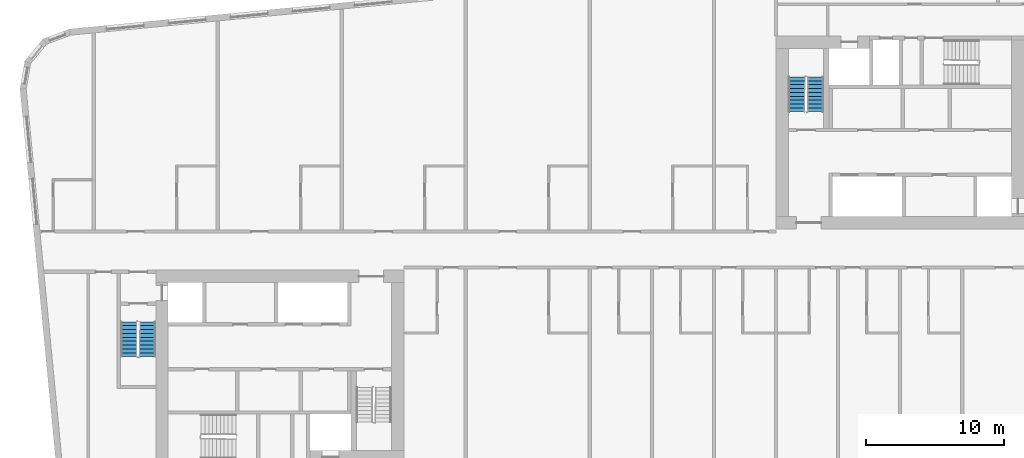
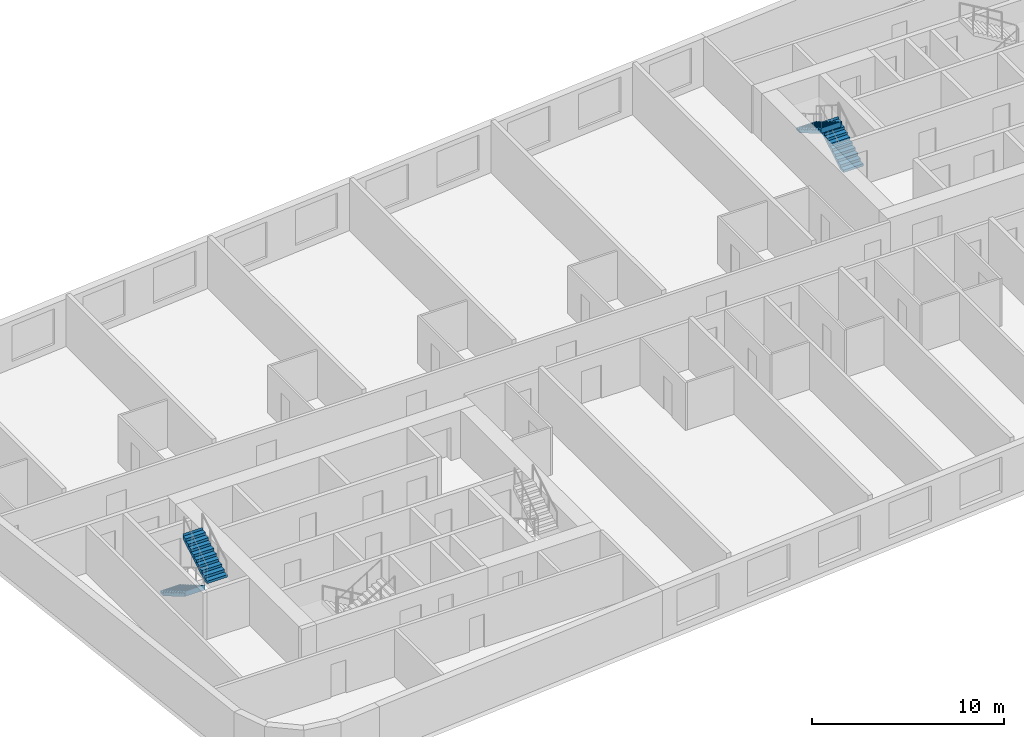
# One storey, part 9 of 11: 4 stair flights, 2 elements without a shape of their own.
"""IFC4 building model written with IfcOpenShell, lengths in metres."""

import ifcopenshell
import ifcopenshell.guid

model = None  # the IFC model being written
_history = None  # IfcOwnerHistory: only IFC2X3 demands one
_inside = {}  # id of a spatial element -> (the spatial element, [elements in it])
_under = {}  # id of a project, library or spatial element -> (it, [spatial elements below it])
_declared = {}  # id of a project -> (the project, [libraries it declares])
_typed = {}  # id of a type object -> (the type object, [elements of that type])
_made_of = {}  # id of a material, layer set ... -> (it, [elements and type objects made of it])


def new_model(schema):
    """Start an empty IFC model of exactly this schema.

    Asked for "IFC4X3", IfcOpenShell would pick the latest addendum, in which some entities
    have other attributes; the version numbers below select the first issue.
    IFC2X3 requires an IfcOwnerHistory on every rooted entity: one is made here for all.
    """
    global model, _history
    if schema == "IFC4X3":
        model = ifcopenshell.file(schema_version=(4, 3, 0, 0))
    else:
        model = ifcopenshell.file(schema=schema)
    _inside.clear()
    _under.clear()
    _declared.clear()
    _typed.clear()
    _made_of.clear()
    _history = None
    if model.schema == "IFC2X3":
        org = make("IfcOrganization", Name="unknown")
        user = make(
            "IfcPersonAndOrganization",
            ThePerson=make("IfcPerson", FamilyName="unknown"),
            TheOrganization=org,
        )
        app = make(
            "IfcApplication",
            ApplicationDeveloper=org,
            Version="unknown",
            ApplicationFullName="unknown",
            ApplicationIdentifier="unknown",
        )
        _history = make(
            "IfcOwnerHistory",
            OwningUser=user,
            OwningApplication=app,
            ChangeAction="ADDED",
            CreationDate=0,
        )
    return model


def make(cls, **values):
    """One entity of the class cls with the attributes given. An attribute that is None is left unset."""
    return model.create_entity(
        cls, **{name: value for name, value in values.items() if value is not None}
    )


def rooted(cls, **values):
    """An entity with a GlobalId (a new one), such as an element, a storey or a relation."""
    return make(cls, GlobalId=ifcopenshell.guid.new(), OwnerHistory=_history, **values)


def si_unit(unit_type, name, prefix=None):
    """IfcSIUnit, for example si_unit("LENGTHUNIT", "METRE", prefix="MILLI")."""
    return make("IfcSIUnit", UnitType=unit_type, Prefix=prefix, Name=name)


def assignment(units):
    """IfcUnitAssignment: the units of a project."""
    return None if units is None else make("IfcUnitAssignment", Units=units)


def point(xyz):
    """IfcCartesianPoint."""
    return None if xyz is None else make("IfcCartesianPoint", Coordinates=xyz)


def direction(xyz):
    """IfcDirection."""
    return None if xyz is None else make("IfcDirection", DirectionRatios=xyz)


def frame(location, z_axis=None, x_axis=None):
    """IfcAxis2Placement3D, a coordinate frame: its origin and axes. An axis left out is left unset."""
    return make(
        "IfcAxis2Placement3D",
        Location=point(location),
        Axis=direction(z_axis),
        RefDirection=direction(x_axis),
    )


def origin():
    """The frame at (0, 0, 0) with its axes left unset."""
    return frame((0.0, 0.0, 0.0))


def place(relative_to, where):
    """IfcLocalPlacement: puts the frame where relative to a parent placement (None: the world)."""
    return make(
        "IfcLocalPlacement", PlacementRelTo=relative_to, RelativePlacement=where
    )


def context(
    kind, dimensions, precision=None, world=None, true_north=None, identifier=None
):
    """IfcGeometricRepresentationContext, for example the 3D "Model" context."""
    return make(
        "IfcGeometricRepresentationContext",
        ContextIdentifier=identifier,
        ContextType=kind,
        CoordinateSpaceDimension=dimensions,
        Precision=precision,
        WorldCoordinateSystem=world,
        TrueNorth=true_north,
    )


def subcontext(parent, identifier, kind, view, scale=None):
    """IfcGeometricRepresentationSubContext, for example "Body" below "Model"."""
    return make(
        "IfcGeometricRepresentationSubContext",
        ContextIdentifier=identifier,
        ContextType=kind,
        ParentContext=parent,
        TargetScale=scale,
        TargetView=view,
    )


def project(units=None, contexts=None):
    """IfcProject with its units and contexts."""
    return rooted(
        "IfcProject",
        Name="project",
        RepresentationContexts=contexts,
        UnitsInContext=assignment(units),
    )


def spatial(cls, under=None, at=None, **own):
    """A site, building, storey or space (cls), placed at a placement, below another one or the project."""
    s = rooted(cls, ObjectPlacement=at, **own)
    if under is not None:
        _under.setdefault(under.id(), (under, []))[1].append(s)
    return s


def faces_of(points, faces, orient=None, outer=None):
    """IfcFace entities. A face is a list of loops; a loop is a list of indices into points, from 0.

    orient and outer hold one flag for each loop. By default every Orientation is true, the
    first loop of a face is its IfcFaceOuterBound and the others are IfcFaceBound.
    """
    made = []
    for i, loops in enumerate(faces):
        bounds = []
        for j, loop in enumerate(loops):
            is_outer = j == 0 if outer is None else outer[i][j]
            bounds.append(
                make(
                    "IfcFaceOuterBound" if is_outer else "IfcFaceBound",
                    Bound=make("IfcPolyLoop", Polygon=[points[k] for k in loop]),
                    Orientation=True if orient is None else orient[i][j],
                )
            )
        made.append(make("IfcFace", Bounds=bounds))
    return made


def faceted_brep(points, faces, orient=None, outer=None, voids=None):
    """IfcFacetedBrep: a solid bounded by flat faces; with voids (closed shells), ...WithVoids."""
    shared = [point(p) for p in points]
    hull = make("IfcClosedShell", CfsFaces=faces_of(shared, faces, orient, outer))
    if voids is None:
        return make("IfcFacetedBrep", Outer=hull)
    return make(
        "IfcFacetedBrepWithVoids",
        Outer=hull,
        Voids=[
            make(cls, CfsFaces=faces_of(shared, fs, o, b)) for cls, fs, o, b in voids
        ],
    )


def shape(context_of_items, identifier, shape_type, items):
    """IfcShapeRepresentation: the items that make up one representation, for example the "Body"."""
    return make(
        "IfcShapeRepresentation",
        ContextOfItems=context_of_items,
        RepresentationIdentifier=identifier,
        RepresentationType=shape_type,
        Items=items,
    )


def material(Name=None, Category=None):
    """IfcMaterial."""
    return make("IfcMaterial", Name=Name, Category=Category)


def made_of(thing, what):
    """Note that an element or type object is made of a material, layer set ...; save() writes the relation."""
    if what is not None:
        _made_of.setdefault(what.id(), (what, []))[1].append(thing)
    return thing


def type_object(cls, material=None, **own):
    """A type object (cls), such as IfcWallType, which elements share."""
    return made_of(rooted(cls, **own), material)


def element(
    cls,
    number,
    at=None,
    inside=None,
    cuts=None,
    type_object=None,
    material=None,
    context=None,
    identifier="Body",
    shape_type=None,
    held_by="IfcProductDefinitionShape",
    body=None,
    shapes=None,
    **own,
):
    """One element of the class cls, such as IfcWall. Its Tag is "e" and its number.

    at: its placement. inside: the storey or other place that contains it. cuts: it is an
    opening in that element (IfcRelVoidsElement). A single representation is given by context,
    identifier, shape_type and body (its items); several are given by shapes. held_by: the class
    of the entity that holds the representations. save() writes the other relations.
    """
    e = rooted(cls, Tag="e%d" % number, ObjectPlacement=at, **own)
    if body is not None:
        shapes = [shape(context, identifier, shape_type, body)]
    if shapes is not None:
        e.Representation = make(held_by, Representations=shapes)
    if inside is not None:
        _inside.setdefault(inside.id(), (inside, []))[1].append(e)
    if cuts is not None:
        rooted(
            "IfcRelVoidsElement", RelatingBuildingElement=cuts, RelatedOpeningElement=e
        )
    if type_object is not None:
        _typed.setdefault(type_object.id(), (type_object, []))[1].append(e)
    return made_of(e, material)


def aggregate(whole, parts):
    """IfcRelAggregates: a whole, such as a stair, and the parts it consists of."""
    return rooted("IfcRelAggregates", RelatingObject=whole, RelatedObjects=parts)


def save(model, path):
    """Write the relations noted so far, then the file.

    IfcRelAggregates (storeys below a building ...), IfcRelContainedInSpatialStructure (elements
    in a storey), IfcRelDefinesByType, IfcRelAssociatesMaterial and IfcRelDeclares: one each for
    every whole, place, type object, material and project.
    """
    for whole, parts in _under.values():
        aggregate(whole, parts)
    for where, things in _inside.values():
        rooted(
            "IfcRelContainedInSpatialStructure",
            RelatedElements=things,
            RelatingStructure=where,
        )
    for kind, things in _typed.values():
        rooted("IfcRelDefinesByType", RelatedObjects=things, RelatingType=kind)
    for what, things in _made_of.values():
        rooted("IfcRelAssociatesMaterial", RelatedObjects=things, RelatingMaterial=what)
    for by, libraries in _declared.values():
        rooted("IfcRelDeclares", RelatingContext=by, RelatedDefinitions=libraries)
    model.write(path)


model = new_model("IFC4")

# Units and contexts
model_context = context("Model", 3, precision=1e-05, world=origin(), true_north=direction((0.0, 1.0)))
body_context = subcontext(model_context, "Body", "Model", "MODEL_VIEW")
ifc_project = project(units=[si_unit("LENGTHUNIT", "METRE"), si_unit("AREAUNIT", "SQUARE_METRE"), si_unit("VOLUMEUNIT", "CUBIC_METRE"), si_unit("PLANEANGLEUNIT", "RADIAN"), si_unit("MASSUNIT", "GRAM", prefix="KILO")], contexts=[model_context])

# Site, building, storey
site_placement = place(None, origin())
site = spatial("IfcSite", under=ifc_project, at=site_placement, CompositionType="ELEMENT")
building_placement = place(site_placement, origin())
building = spatial("IfcBuilding", under=site, at=building_placement, Name="Kajstack Hotel Tower", CompositionType="ELEMENT")
storey_placement = place(building_placement, frame((0.0, 0.0, 285.0)))
storey = spatial("IfcBuildingStorey", under=building, at=storey_placement, Name="L71", CompositionType="ELEMENT", Elevation=285.0)

# Stair, stair flights
ifc_material = material(Name="Concrete C40/50", Category="concrete")
stair_type = type_object("IfcStairType", Name="Exit stair 1200", PredefinedType="HALF_TURN_STAIR", material=ifc_material)
stair_1_placement = place(storey_placement, origin())
stair_1 = element("IfcStair", 1, at=stair_1_placement, inside=storey, type_object=stair_type, Name="L71 stair W1", PredefinedType="HALF_TURN_STAIR")
stair_flight_type = type_object("IfcStairFlightType", Name="Exit stair flight 1200", PredefinedType="STRAIGHT", material=ifc_material)
stair_flight_1_placement = place(storey_placement, frame((-33.449951171875, -5.25, 0.0), z_axis=(0.0, 0.0, 1.0), x_axis=(0.0, -1.0, 0.0)))
stair_flight_1 = element("IfcStairFlight", 2, at=stair_flight_1_placement, type_object=stair_flight_type, Name="W1 flight 1", NumberOfRisers=10, NumberOfTreads=9, PredefinedType="STRAIGHT", RiserHeight=0.165, TreadLength=0.28, context=body_context, shape_type="Brep", body=[
    faceted_brep([(0.295654296875, -0.60009765625, 0.0), (2.5205078125, -0.60009765625, 1.31103515625), (2.5205078125, -0.60009765625, 1.64990234375), (2.52001953125, -0.60009765625, 1.64990234375), (2.52001953125, -0.60009765625, 1.485107421875), (2.239990234375, -0.60009765625, 1.485107421875), (2.239990234375, -0.60009765625, 1.320068359375), (1.9599609375, -0.60009765625, 1.320068359375), (1.9599609375, -0.60009765625, 1.155029296875), (1.679931640625, -0.60009765625, 1.155029296875), (1.679931640625, -0.60009765625, 0.989990234375), (1.39990234375, -0.60009765625, 0.989990234375), (1.39990234375, -0.60009765625, 0.824951171875), (1.1201171875, -0.60009765625, 0.824951171875), (1.1201171875, -0.60009765625, 0.659912109375), (0.840087890625, -0.60009765625, 0.659912109375), (0.840087890625, -0.60009765625, 0.4951171875), (0.56005859375, -0.60009765625, 0.4951171875), (0.56005859375, -0.60009765625, 0.330078125), (0.280029296875, -0.60009765625, 0.330078125), (0.280029296875, -0.60009765625, 0.1650390625), (-0.00048828125, -0.60009765625, 0.1650390625), (-0.00048828125, -0.60009765625, 0.0), (-0.00048828125, 0.60009765625, 0.0), (-0.00048828125, 0.60009765625, 0.1650390625), (0.280029296875, 0.60009765625, 0.1650390625), (0.280029296875, 0.60009765625, 0.330078125), (0.56005859375, 0.60009765625, 0.330078125), (0.56005859375, 0.60009765625, 0.4951171875), (0.840087890625, 0.60009765625, 0.4951171875), (0.840087890625, 0.60009765625, 0.659912109375), (1.1201171875, 0.60009765625, 0.659912109375), (1.1201171875, 0.60009765625, 0.824951171875), (1.39990234375, 0.60009765625, 0.824951171875), (1.39990234375, 0.60009765625, 0.989990234375), (1.679931640625, 0.60009765625, 0.989990234375), (1.679931640625, 0.60009765625, 1.155029296875), (1.9599609375, 0.60009765625, 1.155029296875), (1.9599609375, 0.60009765625, 1.320068359375), (2.239990234375, 0.60009765625, 1.320068359375), (2.239990234375, 0.60009765625, 1.485107421875), (2.52001953125, 0.60009765625, 1.485107421875), (2.52001953125, 0.60009765625, 1.64990234375), (2.5205078125, 0.60009765625, 1.64990234375), (2.5205078125, 0.60009765625, 1.31103515625), (0.295654296875, 0.60009765625, 0.0), (-0.00048828125, -0.300048828125, 0.1650390625), (-0.00048828125, 0.0, 0.1650390625), (-0.00048828125, 0.300048828125, 0.1650390625), (-0.00048828125, 0.300048828125, 0.0), (-0.00048828125, 0.0, 0.0), (-0.00048828125, -0.300048828125, 0.0), (0.280029296875, -0.300048828125, 0.1650390625), (0.280029296875, 0.0, 0.1650390625), (0.280029296875, 0.300048828125, 0.1650390625), (0.280029296875, -0.300048828125, 0.330078125), (0.280029296875, 0.0, 0.330078125), (0.280029296875, 0.300048828125, 0.330078125), (0.56005859375, -0.300048828125, 0.330078125), (0.56005859375, 0.0, 0.330078125), (0.56005859375, 0.300048828125, 0.330078125), (0.56005859375, -0.300048828125, 0.4951171875), (0.56005859375, 0.0, 0.4951171875), (0.56005859375, 0.300048828125, 0.4951171875), (0.840087890625, -0.300048828125, 0.4951171875), (0.840087890625, 0.0, 0.4951171875), (0.840087890625, 0.300048828125, 0.4951171875), (0.840087890625, -0.300048828125, 0.659912109375), (0.840087890625, 0.0, 0.659912109375), (0.840087890625, 0.300048828125, 0.659912109375), (1.1201171875, -0.300048828125, 0.659912109375), (1.1201171875, 0.0, 0.659912109375), (1.1201171875, 0.300048828125, 0.659912109375), (1.1201171875, -0.300048828125, 0.824951171875), (1.1201171875, 0.0, 0.824951171875), (1.1201171875, 0.300048828125, 0.824951171875), (1.39990234375, -0.300048828125, 0.824951171875), (1.39990234375, 0.0, 0.824951171875), (1.39990234375, 0.300048828125, 0.824951171875), (1.39990234375, -0.300048828125, 0.989990234375), (1.39990234375, 0.0, 0.989990234375), (1.39990234375, 0.300048828125, 0.989990234375), (1.679931640625, -0.300048828125, 0.989990234375), (1.679931640625, 0.0, 0.989990234375), (1.679931640625, 0.300048828125, 0.989990234375), (1.679931640625, -0.300048828125, 1.155029296875), (1.679931640625, 0.0, 1.155029296875), (1.679931640625, 0.300048828125, 1.155029296875), (1.9599609375, -0.300048828125, 1.155029296875), (1.9599609375, 0.0, 1.155029296875), (1.9599609375, 0.300048828125, 1.155029296875), (1.9599609375, -0.300048828125, 1.320068359375), (1.9599609375, 0.0, 1.320068359375), (1.9599609375, 0.300048828125, 1.320068359375), (2.239990234375, -0.300048828125, 1.320068359375), (2.239990234375, 0.0, 1.320068359375), (2.239990234375, 0.300048828125, 1.320068359375), (2.239990234375, -0.300048828125, 1.485107421875), (2.239990234375, 0.0, 1.485107421875), (2.239990234375, 0.300048828125, 1.485107421875), (2.52001953125, -0.300048828125, 1.485107421875), (2.52001953125, 0.0, 1.485107421875), (2.52001953125, 0.300048828125, 1.485107421875), (2.52001953125, -0.300048828125, 1.64990234375), (2.52001953125, 0.0, 1.64990234375), (2.52001953125, 0.300048828125, 1.64990234375), (2.5205078125, -0.300048828125, 1.64990234375), (2.5205078125, 0.0, 1.64990234375), (2.5205078125, 0.300048828125, 1.64990234375), (2.5205078125, -0.300048828125, 1.31103515625), (2.5205078125, 0.0, 1.31103515625), (2.5205078125, 0.300048828125, 1.31103515625), (0.295654296875, -0.300048828125, 0.0), (0.295654296875, 0.0, 0.0), (0.295654296875, 0.300048828125, 0.0)], [[[0, 1, 2, 3, 4, 5, 6, 7, 8, 9, 10, 11, 12, 13, 14, 15, 16, 17, 18, 19, 20, 21, 22]], [[23, 24, 25, 26, 27, 28, 29, 30, 31, 32, 33, 34, 35, 36, 37, 38, 39, 40, 41, 42, 43, 44, 45]], [[21, 46, 47, 48, 24, 23, 49, 50, 51, 22]], [[20, 52, 53, 54, 25, 24, 48, 47, 46, 21]], [[19, 55, 56, 57, 26, 25, 54, 53, 52, 20]], [[18, 58, 59, 60, 27, 26, 57, 56, 55, 19]], [[17, 61, 62, 63, 28, 27, 60, 59, 58, 18]], [[16, 64, 65, 66, 29, 28, 63, 62, 61, 17]], [[15, 67, 68, 69, 30, 29, 66, 65, 64, 16]], [[14, 70, 71, 72, 31, 30, 69, 68, 67, 15]], [[13, 73, 74, 75, 32, 31, 72, 71, 70, 14]], [[12, 76, 77, 78, 33, 32, 75, 74, 73, 13]], [[11, 79, 80, 81, 34, 33, 78, 77, 76, 12]], [[10, 82, 83, 84, 35, 34, 81, 80, 79, 11]], [[9, 85, 86, 87, 36, 35, 84, 83, 82, 10]], [[8, 88, 89, 90, 37, 36, 87, 86, 85, 9]], [[7, 91, 92, 93, 38, 37, 90, 89, 88, 8]], [[6, 94, 95, 96, 39, 38, 93, 92, 91, 7]], [[5, 97, 98, 99, 40, 39, 96, 95, 94, 6]], [[4, 100, 101, 102, 41, 40, 99, 98, 97, 5]], [[3, 103, 104, 105, 42, 41, 102, 101, 100, 4]], [[2, 106, 107, 108, 43, 42, 105, 104, 103, 3]], [[1, 109, 110, 111, 44, 43, 108, 107, 106, 2]], [[0, 112, 113, 114, 45, 44, 111, 110, 109, 1]], [[22, 51, 50, 49, 23, 45, 114, 113, 112, 0]]]),
])
stair_flight_2_placement = place(storey_placement, frame((-32.10009765625, -7.77001953125, 1.64990234375), z_axis=(0.0, 0.0, 1.0), x_axis=(0.0, 1.0, 0.0)))
stair_flight_2 = element("IfcStairFlight", 3, at=stair_flight_2_placement, type_object=stair_flight_type, Name="W1 flight 2", NumberOfRisers=10, NumberOfTreads=9, PredefinedType="STRAIGHT", RiserHeight=0.165, TreadLength=0.28, context=body_context, shape_type="Brep", body=[
    faceted_brep([(0.295654296875, -0.60009765625, 0.0), (2.5205078125, -0.60009765625, 1.31103515625), (2.5205078125, -0.60009765625, 1.64990234375), (2.52001953125, -0.60009765625, 1.64990234375), (2.52001953125, -0.60009765625, 1.485107421875), (2.239990234375, -0.60009765625, 1.485107421875), (2.239990234375, -0.60009765625, 1.320068359375), (1.9599609375, -0.60009765625, 1.320068359375), (1.9599609375, -0.60009765625, 1.155029296875), (1.679931640625, -0.60009765625, 1.155029296875), (1.679931640625, -0.60009765625, 0.989990234375), (1.39990234375, -0.60009765625, 0.989990234375), (1.39990234375, -0.60009765625, 0.824951171875), (1.1201171875, -0.60009765625, 0.824951171875), (1.1201171875, -0.60009765625, 0.659912109375), (0.840087890625, -0.60009765625, 0.659912109375), (0.840087890625, -0.60009765625, 0.4951171875), (0.56005859375, -0.60009765625, 0.4951171875), (0.56005859375, -0.60009765625, 0.330078125), (0.280029296875, -0.60009765625, 0.330078125), (0.280029296875, -0.60009765625, 0.1650390625), (-0.00048828125, -0.60009765625, 0.1650390625), (-0.00048828125, -0.60009765625, 0.0), (-0.00048828125, 0.60009765625, 0.0), (-0.00048828125, 0.60009765625, 0.1650390625), (0.280029296875, 0.60009765625, 0.1650390625), (0.280029296875, 0.60009765625, 0.330078125), (0.56005859375, 0.60009765625, 0.330078125), (0.56005859375, 0.60009765625, 0.4951171875), (0.840087890625, 0.60009765625, 0.4951171875), (0.840087890625, 0.60009765625, 0.659912109375), (1.1201171875, 0.60009765625, 0.659912109375), (1.1201171875, 0.60009765625, 0.824951171875), (1.39990234375, 0.60009765625, 0.824951171875), (1.39990234375, 0.60009765625, 0.989990234375), (1.679931640625, 0.60009765625, 0.989990234375), (1.679931640625, 0.60009765625, 1.155029296875), (1.9599609375, 0.60009765625, 1.155029296875), (1.9599609375, 0.60009765625, 1.320068359375), (2.239990234375, 0.60009765625, 1.320068359375), (2.239990234375, 0.60009765625, 1.485107421875), (2.52001953125, 0.60009765625, 1.485107421875), (2.52001953125, 0.60009765625, 1.64990234375), (2.5205078125, 0.60009765625, 1.64990234375), (2.5205078125, 0.60009765625, 1.31103515625), (0.295654296875, 0.60009765625, 0.0), (-0.00048828125, -0.300048828125, 0.1650390625), (-0.00048828125, 0.0, 0.1650390625), (-0.00048828125, 0.300048828125, 0.1650390625), (-0.00048828125, 0.300048828125, 0.0), (-0.00048828125, 0.0, 0.0), (-0.00048828125, -0.300048828125, 0.0), (0.280029296875, -0.300048828125, 0.1650390625), (0.280029296875, 0.0, 0.1650390625), (0.280029296875, 0.300048828125, 0.1650390625), (0.280029296875, -0.300048828125, 0.330078125), (0.280029296875, 0.0, 0.330078125), (0.280029296875, 0.300048828125, 0.330078125), (0.56005859375, -0.300048828125, 0.330078125), (0.56005859375, 0.0, 0.330078125), (0.56005859375, 0.300048828125, 0.330078125), (0.56005859375, -0.300048828125, 0.4951171875), (0.56005859375, 0.0, 0.4951171875), (0.56005859375, 0.300048828125, 0.4951171875), (0.840087890625, -0.300048828125, 0.4951171875), (0.840087890625, 0.0, 0.4951171875), (0.840087890625, 0.300048828125, 0.4951171875), (0.840087890625, -0.300048828125, 0.659912109375), (0.840087890625, 0.0, 0.659912109375), (0.840087890625, 0.300048828125, 0.659912109375), (1.1201171875, -0.300048828125, 0.659912109375), (1.1201171875, 0.0, 0.659912109375), (1.1201171875, 0.300048828125, 0.659912109375), (1.1201171875, -0.300048828125, 0.824951171875), (1.1201171875, 0.0, 0.824951171875), (1.1201171875, 0.300048828125, 0.824951171875), (1.39990234375, -0.300048828125, 0.824951171875), (1.39990234375, 0.0, 0.824951171875), (1.39990234375, 0.300048828125, 0.824951171875), (1.39990234375, -0.300048828125, 0.989990234375), (1.39990234375, 0.0, 0.989990234375), (1.39990234375, 0.300048828125, 0.989990234375), (1.679931640625, -0.300048828125, 0.989990234375), (1.679931640625, 0.0, 0.989990234375), (1.679931640625, 0.300048828125, 0.989990234375), (1.679931640625, -0.300048828125, 1.155029296875), (1.679931640625, 0.0, 1.155029296875), (1.679931640625, 0.300048828125, 1.155029296875), (1.9599609375, -0.300048828125, 1.155029296875), (1.9599609375, 0.0, 1.155029296875), (1.9599609375, 0.300048828125, 1.155029296875), (1.9599609375, -0.300048828125, 1.320068359375), (1.9599609375, 0.0, 1.320068359375), (1.9599609375, 0.300048828125, 1.320068359375), (2.239990234375, -0.300048828125, 1.320068359375), (2.239990234375, 0.0, 1.320068359375), (2.239990234375, 0.300048828125, 1.320068359375), (2.239990234375, -0.300048828125, 1.485107421875), (2.239990234375, 0.0, 1.485107421875), (2.239990234375, 0.300048828125, 1.485107421875), (2.52001953125, -0.300048828125, 1.485107421875), (2.52001953125, 0.0, 1.485107421875), (2.52001953125, 0.300048828125, 1.485107421875), (2.52001953125, -0.300048828125, 1.64990234375), (2.52001953125, 0.0, 1.64990234375), (2.52001953125, 0.300048828125, 1.64990234375), (2.5205078125, -0.300048828125, 1.64990234375), (2.5205078125, 0.0, 1.64990234375), (2.5205078125, 0.300048828125, 1.64990234375), (2.5205078125, -0.300048828125, 1.31103515625), (2.5205078125, 0.0, 1.31103515625), (2.5205078125, 0.300048828125, 1.31103515625), (0.295654296875, -0.300048828125, 0.0), (0.295654296875, 0.0, 0.0), (0.295654296875, 0.300048828125, 0.0)], [[[0, 1, 2, 3, 4, 5, 6, 7, 8, 9, 10, 11, 12, 13, 14, 15, 16, 17, 18, 19, 20, 21, 22]], [[23, 24, 25, 26, 27, 28, 29, 30, 31, 32, 33, 34, 35, 36, 37, 38, 39, 40, 41, 42, 43, 44, 45]], [[21, 46, 47, 48, 24, 23, 49, 50, 51, 22]], [[20, 52, 53, 54, 25, 24, 48, 47, 46, 21]], [[19, 55, 56, 57, 26, 25, 54, 53, 52, 20]], [[18, 58, 59, 60, 27, 26, 57, 56, 55, 19]], [[17, 61, 62, 63, 28, 27, 60, 59, 58, 18]], [[16, 64, 65, 66, 29, 28, 63, 62, 61, 17]], [[15, 67, 68, 69, 30, 29, 66, 65, 64, 16]], [[14, 70, 71, 72, 31, 30, 69, 68, 67, 15]], [[13, 73, 74, 75, 32, 31, 72, 71, 70, 14]], [[12, 76, 77, 78, 33, 32, 75, 74, 73, 13]], [[11, 79, 80, 81, 34, 33, 78, 77, 76, 12]], [[10, 82, 83, 84, 35, 34, 81, 80, 79, 11]], [[9, 85, 86, 87, 36, 35, 84, 83, 82, 10]], [[8, 88, 89, 90, 37, 36, 87, 86, 85, 9]], [[7, 91, 92, 93, 38, 37, 90, 89, 88, 8]], [[6, 94, 95, 96, 39, 38, 93, 92, 91, 7]], [[5, 97, 98, 99, 40, 39, 96, 95, 94, 6]], [[4, 100, 101, 102, 41, 40, 99, 98, 97, 5]], [[3, 103, 104, 105, 42, 41, 102, 101, 100, 4]], [[2, 106, 107, 108, 43, 42, 105, 104, 103, 3]], [[1, 109, 110, 111, 44, 43, 108, 107, 106, 2]], [[0, 112, 113, 114, 45, 44, 111, 110, 109, 1]], [[22, 51, 50, 49, 23, 45, 114, 113, 112, 0]]]),
])
aggregate(stair_1, [stair_flight_1, stair_flight_2])

stair_2_placement = place(storey_placement, origin())
stair_2 = element("IfcStair", 4, at=stair_2_placement, inside=storey, type_object=stair_type, Name="L71 stair E2", PredefinedType="HALF_TURN_STAIR")
stair_flight_3_placement = place(storey_placement, frame((16.35009765625, 10.0, 0.0), z_axis=(0.0, 0.0, 1.0), x_axis=(0.0, 1.0, 0.0)))
stair_flight_3 = element("IfcStairFlight", 5, at=stair_flight_3_placement, type_object=stair_flight_type, Name="E2 flight 1", NumberOfRisers=10, NumberOfTreads=9, PredefinedType="STRAIGHT", RiserHeight=0.165, TreadLength=0.28, context=body_context, shape_type="Brep", body=[
    faceted_brep([(0.295654296875, -0.60009765625, 0.0), (2.5205078125, -0.60009765625, 1.31103515625), (2.5205078125, -0.60009765625, 1.64990234375), (2.52001953125, -0.60009765625, 1.64990234375), (2.52001953125, -0.60009765625, 1.485107421875), (2.239990234375, -0.60009765625, 1.485107421875), (2.239990234375, -0.60009765625, 1.320068359375), (1.9599609375, -0.60009765625, 1.320068359375), (1.9599609375, -0.60009765625, 1.155029296875), (1.679931640625, -0.60009765625, 1.155029296875), (1.679931640625, -0.60009765625, 0.989990234375), (1.39990234375, -0.60009765625, 0.989990234375), (1.39990234375, -0.60009765625, 0.824951171875), (1.1201171875, -0.60009765625, 0.824951171875), (1.1201171875, -0.60009765625, 0.659912109375), (0.840087890625, -0.60009765625, 0.659912109375), (0.840087890625, -0.60009765625, 0.4951171875), (0.56005859375, -0.60009765625, 0.4951171875), (0.56005859375, -0.60009765625, 0.330078125), (0.280029296875, -0.60009765625, 0.330078125), (0.280029296875, -0.60009765625, 0.1650390625), (-0.00048828125, -0.60009765625, 0.1650390625), (-0.00048828125, -0.60009765625, 0.0), (-0.00048828125, 0.60009765625, 0.0), (-0.00048828125, 0.60009765625, 0.1650390625), (0.280029296875, 0.60009765625, 0.1650390625), (0.280029296875, 0.60009765625, 0.330078125), (0.56005859375, 0.60009765625, 0.330078125), (0.56005859375, 0.60009765625, 0.4951171875), (0.840087890625, 0.60009765625, 0.4951171875), (0.840087890625, 0.60009765625, 0.659912109375), (1.1201171875, 0.60009765625, 0.659912109375), (1.1201171875, 0.60009765625, 0.824951171875), (1.39990234375, 0.60009765625, 0.824951171875), (1.39990234375, 0.60009765625, 0.989990234375), (1.679931640625, 0.60009765625, 0.989990234375), (1.679931640625, 0.60009765625, 1.155029296875), (1.9599609375, 0.60009765625, 1.155029296875), (1.9599609375, 0.60009765625, 1.320068359375), (2.239990234375, 0.60009765625, 1.320068359375), (2.239990234375, 0.60009765625, 1.485107421875), (2.52001953125, 0.60009765625, 1.485107421875), (2.52001953125, 0.60009765625, 1.64990234375), (2.5205078125, 0.60009765625, 1.64990234375), (2.5205078125, 0.60009765625, 1.31103515625), (0.295654296875, 0.60009765625, 0.0), (-0.00048828125, -0.300048828125, 0.1650390625), (-0.00048828125, 0.0, 0.1650390625), (-0.00048828125, 0.300048828125, 0.1650390625), (-0.00048828125, 0.300048828125, 0.0), (-0.00048828125, 0.0, 0.0), (-0.00048828125, -0.300048828125, 0.0), (0.280029296875, -0.300048828125, 0.1650390625), (0.280029296875, 0.0, 0.1650390625), (0.280029296875, 0.300048828125, 0.1650390625), (0.280029296875, -0.300048828125, 0.330078125), (0.280029296875, 0.0, 0.330078125), (0.280029296875, 0.300048828125, 0.330078125), (0.56005859375, -0.300048828125, 0.330078125), (0.56005859375, 0.0, 0.330078125), (0.56005859375, 0.300048828125, 0.330078125), (0.56005859375, -0.300048828125, 0.4951171875), (0.56005859375, 0.0, 0.4951171875), (0.56005859375, 0.300048828125, 0.4951171875), (0.840087890625, -0.300048828125, 0.4951171875), (0.840087890625, 0.0, 0.4951171875), (0.840087890625, 0.300048828125, 0.4951171875), (0.840087890625, -0.300048828125, 0.659912109375), (0.840087890625, 0.0, 0.659912109375), (0.840087890625, 0.300048828125, 0.659912109375), (1.1201171875, -0.300048828125, 0.659912109375), (1.1201171875, 0.0, 0.659912109375), (1.1201171875, 0.300048828125, 0.659912109375), (1.1201171875, -0.300048828125, 0.824951171875), (1.1201171875, 0.0, 0.824951171875), (1.1201171875, 0.300048828125, 0.824951171875), (1.39990234375, -0.300048828125, 0.824951171875), (1.39990234375, 0.0, 0.824951171875), (1.39990234375, 0.300048828125, 0.824951171875), (1.39990234375, -0.300048828125, 0.989990234375), (1.39990234375, 0.0, 0.989990234375), (1.39990234375, 0.300048828125, 0.989990234375), (1.679931640625, -0.300048828125, 0.989990234375), (1.679931640625, 0.0, 0.989990234375), (1.679931640625, 0.300048828125, 0.989990234375), (1.679931640625, -0.300048828125, 1.155029296875), (1.679931640625, 0.0, 1.155029296875), (1.679931640625, 0.300048828125, 1.155029296875), (1.9599609375, -0.300048828125, 1.155029296875), (1.9599609375, 0.0, 1.155029296875), (1.9599609375, 0.300048828125, 1.155029296875), (1.9599609375, -0.300048828125, 1.320068359375), (1.9599609375, 0.0, 1.320068359375), (1.9599609375, 0.300048828125, 1.320068359375), (2.239990234375, -0.300048828125, 1.320068359375), (2.239990234375, 0.0, 1.320068359375), (2.239990234375, 0.300048828125, 1.320068359375), (2.239990234375, -0.300048828125, 1.485107421875), (2.239990234375, 0.0, 1.485107421875), (2.239990234375, 0.300048828125, 1.485107421875), (2.52001953125, -0.300048828125, 1.485107421875), (2.52001953125, 0.0, 1.485107421875), (2.52001953125, 0.300048828125, 1.485107421875), (2.52001953125, -0.300048828125, 1.64990234375), (2.52001953125, 0.0, 1.64990234375), (2.52001953125, 0.300048828125, 1.64990234375), (2.5205078125, -0.300048828125, 1.64990234375), (2.5205078125, 0.0, 1.64990234375), (2.5205078125, 0.300048828125, 1.64990234375), (2.5205078125, -0.300048828125, 1.31103515625), (2.5205078125, 0.0, 1.31103515625), (2.5205078125, 0.300048828125, 1.31103515625), (0.295654296875, -0.300048828125, 0.0), (0.295654296875, 0.0, 0.0), (0.295654296875, 0.300048828125, 0.0)], [[[0, 1, 2, 3, 4, 5, 6, 7, 8, 9, 10, 11, 12, 13, 14, 15, 16, 17, 18, 19, 20, 21, 22]], [[23, 24, 25, 26, 27, 28, 29, 30, 31, 32, 33, 34, 35, 36, 37, 38, 39, 40, 41, 42, 43, 44, 45]], [[21, 46, 47, 48, 24, 23, 49, 50, 51, 22]], [[20, 52, 53, 54, 25, 24, 48, 47, 46, 21]], [[19, 55, 56, 57, 26, 25, 54, 53, 52, 20]], [[18, 58, 59, 60, 27, 26, 57, 56, 55, 19]], [[17, 61, 62, 63, 28, 27, 60, 59, 58, 18]], [[16, 64, 65, 66, 29, 28, 63, 62, 61, 17]], [[15, 67, 68, 69, 30, 29, 66, 65, 64, 16]], [[14, 70, 71, 72, 31, 30, 69, 68, 67, 15]], [[13, 73, 74, 75, 32, 31, 72, 71, 70, 14]], [[12, 76, 77, 78, 33, 32, 75, 74, 73, 13]], [[11, 79, 80, 81, 34, 33, 78, 77, 76, 12]], [[10, 82, 83, 84, 35, 34, 81, 80, 79, 11]], [[9, 85, 86, 87, 36, 35, 84, 83, 82, 10]], [[8, 88, 89, 90, 37, 36, 87, 86, 85, 9]], [[7, 91, 92, 93, 38, 37, 90, 89, 88, 8]], [[6, 94, 95, 96, 39, 38, 93, 92, 91, 7]], [[5, 97, 98, 99, 40, 39, 96, 95, 94, 6]], [[4, 100, 101, 102, 41, 40, 99, 98, 97, 5]], [[3, 103, 104, 105, 42, 41, 102, 101, 100, 4]], [[2, 106, 107, 108, 43, 42, 105, 104, 103, 3]], [[1, 109, 110, 111, 44, 43, 108, 107, 106, 2]], [[0, 112, 113, 114, 45, 44, 111, 110, 109, 1]], [[22, 51, 50, 49, 23, 45, 114, 113, 112, 0]]]),
])
stair_flight_4_placement = place(storey_placement, frame((15.0, 12.52001953125, 1.64990234375), z_axis=(0.0, 0.0, 1.0), x_axis=(0.0, -1.0, 0.0)))
stair_flight_4 = element("IfcStairFlight", 6, at=stair_flight_4_placement, type_object=stair_flight_type, Name="E2 flight 2", NumberOfRisers=10, NumberOfTreads=9, PredefinedType="STRAIGHT", RiserHeight=0.165, TreadLength=0.28, context=body_context, shape_type="Brep", body=[
    faceted_brep([(0.295654296875, -0.60009765625, 0.0), (2.5205078125, -0.60009765625, 1.31103515625), (2.5205078125, -0.60009765625, 1.64990234375), (2.52001953125, -0.60009765625, 1.64990234375), (2.52001953125, -0.60009765625, 1.485107421875), (2.239990234375, -0.60009765625, 1.485107421875), (2.239990234375, -0.60009765625, 1.320068359375), (1.9599609375, -0.60009765625, 1.320068359375), (1.9599609375, -0.60009765625, 1.155029296875), (1.679931640625, -0.60009765625, 1.155029296875), (1.679931640625, -0.60009765625, 0.989990234375), (1.39990234375, -0.60009765625, 0.989990234375), (1.39990234375, -0.60009765625, 0.824951171875), (1.1201171875, -0.60009765625, 0.824951171875), (1.1201171875, -0.60009765625, 0.659912109375), (0.840087890625, -0.60009765625, 0.659912109375), (0.840087890625, -0.60009765625, 0.4951171875), (0.56005859375, -0.60009765625, 0.4951171875), (0.56005859375, -0.60009765625, 0.330078125), (0.280029296875, -0.60009765625, 0.330078125), (0.280029296875, -0.60009765625, 0.1650390625), (-0.00048828125, -0.60009765625, 0.1650390625), (-0.00048828125, -0.60009765625, 0.0), (-0.00048828125, 0.60009765625, 0.0), (-0.00048828125, 0.60009765625, 0.1650390625), (0.280029296875, 0.60009765625, 0.1650390625), (0.280029296875, 0.60009765625, 0.330078125), (0.56005859375, 0.60009765625, 0.330078125), (0.56005859375, 0.60009765625, 0.4951171875), (0.840087890625, 0.60009765625, 0.4951171875), (0.840087890625, 0.60009765625, 0.659912109375), (1.1201171875, 0.60009765625, 0.659912109375), (1.1201171875, 0.60009765625, 0.824951171875), (1.39990234375, 0.60009765625, 0.824951171875), (1.39990234375, 0.60009765625, 0.989990234375), (1.679931640625, 0.60009765625, 0.989990234375), (1.679931640625, 0.60009765625, 1.155029296875), (1.9599609375, 0.60009765625, 1.155029296875), (1.9599609375, 0.60009765625, 1.320068359375), (2.239990234375, 0.60009765625, 1.320068359375), (2.239990234375, 0.60009765625, 1.485107421875), (2.52001953125, 0.60009765625, 1.485107421875), (2.52001953125, 0.60009765625, 1.64990234375), (2.5205078125, 0.60009765625, 1.64990234375), (2.5205078125, 0.60009765625, 1.31103515625), (0.295654296875, 0.60009765625, 0.0), (-0.00048828125, -0.300048828125, 0.1650390625), (-0.00048828125, 0.0, 0.1650390625), (-0.00048828125, 0.300048828125, 0.1650390625), (-0.00048828125, 0.300048828125, 0.0), (-0.00048828125, 0.0, 0.0), (-0.00048828125, -0.300048828125, 0.0), (0.280029296875, -0.300048828125, 0.1650390625), (0.280029296875, 0.0, 0.1650390625), (0.280029296875, 0.300048828125, 0.1650390625), (0.280029296875, -0.300048828125, 0.330078125), (0.280029296875, 0.0, 0.330078125), (0.280029296875, 0.300048828125, 0.330078125), (0.56005859375, -0.300048828125, 0.330078125), (0.56005859375, 0.0, 0.330078125), (0.56005859375, 0.300048828125, 0.330078125), (0.56005859375, -0.300048828125, 0.4951171875), (0.56005859375, 0.0, 0.4951171875), (0.56005859375, 0.300048828125, 0.4951171875), (0.840087890625, -0.300048828125, 0.4951171875), (0.840087890625, 0.0, 0.4951171875), (0.840087890625, 0.300048828125, 0.4951171875), (0.840087890625, -0.300048828125, 0.659912109375), (0.840087890625, 0.0, 0.659912109375), (0.840087890625, 0.300048828125, 0.659912109375), (1.1201171875, -0.300048828125, 0.659912109375), (1.1201171875, 0.0, 0.659912109375), (1.1201171875, 0.300048828125, 0.659912109375), (1.1201171875, -0.300048828125, 0.824951171875), (1.1201171875, 0.0, 0.824951171875), (1.1201171875, 0.300048828125, 0.824951171875), (1.39990234375, -0.300048828125, 0.824951171875), (1.39990234375, 0.0, 0.824951171875), (1.39990234375, 0.300048828125, 0.824951171875), (1.39990234375, -0.300048828125, 0.989990234375), (1.39990234375, 0.0, 0.989990234375), (1.39990234375, 0.300048828125, 0.989990234375), (1.679931640625, -0.300048828125, 0.989990234375), (1.679931640625, 0.0, 0.989990234375), (1.679931640625, 0.300048828125, 0.989990234375), (1.679931640625, -0.300048828125, 1.155029296875), (1.679931640625, 0.0, 1.155029296875), (1.679931640625, 0.300048828125, 1.155029296875), (1.9599609375, -0.300048828125, 1.155029296875), (1.9599609375, 0.0, 1.155029296875), (1.9599609375, 0.300048828125, 1.155029296875), (1.9599609375, -0.300048828125, 1.320068359375), (1.9599609375, 0.0, 1.320068359375), (1.9599609375, 0.300048828125, 1.320068359375), (2.239990234375, -0.300048828125, 1.320068359375), (2.239990234375, 0.0, 1.320068359375), (2.239990234375, 0.300048828125, 1.320068359375), (2.239990234375, -0.300048828125, 1.485107421875), (2.239990234375, 0.0, 1.485107421875), (2.239990234375, 0.300048828125, 1.485107421875), (2.52001953125, -0.300048828125, 1.485107421875), (2.52001953125, 0.0, 1.485107421875), (2.52001953125, 0.300048828125, 1.485107421875), (2.52001953125, -0.300048828125, 1.64990234375), (2.52001953125, 0.0, 1.64990234375), (2.52001953125, 0.300048828125, 1.64990234375), (2.5205078125, -0.300048828125, 1.64990234375), (2.5205078125, 0.0, 1.64990234375), (2.5205078125, 0.300048828125, 1.64990234375), (2.5205078125, -0.300048828125, 1.31103515625), (2.5205078125, 0.0, 1.31103515625), (2.5205078125, 0.300048828125, 1.31103515625), (0.295654296875, -0.300048828125, 0.0), (0.295654296875, 0.0, 0.0), (0.295654296875, 0.300048828125, 0.0)], [[[0, 1, 2, 3, 4, 5, 6, 7, 8, 9, 10, 11, 12, 13, 14, 15, 16, 17, 18, 19, 20, 21, 22]], [[23, 24, 25, 26, 27, 28, 29, 30, 31, 32, 33, 34, 35, 36, 37, 38, 39, 40, 41, 42, 43, 44, 45]], [[21, 46, 47, 48, 24, 23, 49, 50, 51, 22]], [[20, 52, 53, 54, 25, 24, 48, 47, 46, 21]], [[19, 55, 56, 57, 26, 25, 54, 53, 52, 20]], [[18, 58, 59, 60, 27, 26, 57, 56, 55, 19]], [[17, 61, 62, 63, 28, 27, 60, 59, 58, 18]], [[16, 64, 65, 66, 29, 28, 63, 62, 61, 17]], [[15, 67, 68, 69, 30, 29, 66, 65, 64, 16]], [[14, 70, 71, 72, 31, 30, 69, 68, 67, 15]], [[13, 73, 74, 75, 32, 31, 72, 71, 70, 14]], [[12, 76, 77, 78, 33, 32, 75, 74, 73, 13]], [[11, 79, 80, 81, 34, 33, 78, 77, 76, 12]], [[10, 82, 83, 84, 35, 34, 81, 80, 79, 11]], [[9, 85, 86, 87, 36, 35, 84, 83, 82, 10]], [[8, 88, 89, 90, 37, 36, 87, 86, 85, 9]], [[7, 91, 92, 93, 38, 37, 90, 89, 88, 8]], [[6, 94, 95, 96, 39, 38, 93, 92, 91, 7]], [[5, 97, 98, 99, 40, 39, 96, 95, 94, 6]], [[4, 100, 101, 102, 41, 40, 99, 98, 97, 5]], [[3, 103, 104, 105, 42, 41, 102, 101, 100, 4]], [[2, 106, 107, 108, 43, 42, 105, 104, 103, 3]], [[1, 109, 110, 111, 44, 43, 108, 107, 106, 2]], [[0, 112, 113, 114, 45, 44, 111, 110, 109, 1]], [[22, 51, 50, 49, 23, 45, 114, 113, 112, 0]]]),
])
aggregate(stair_2, [stair_flight_3, stair_flight_4])

save(model, "model.ifc")
